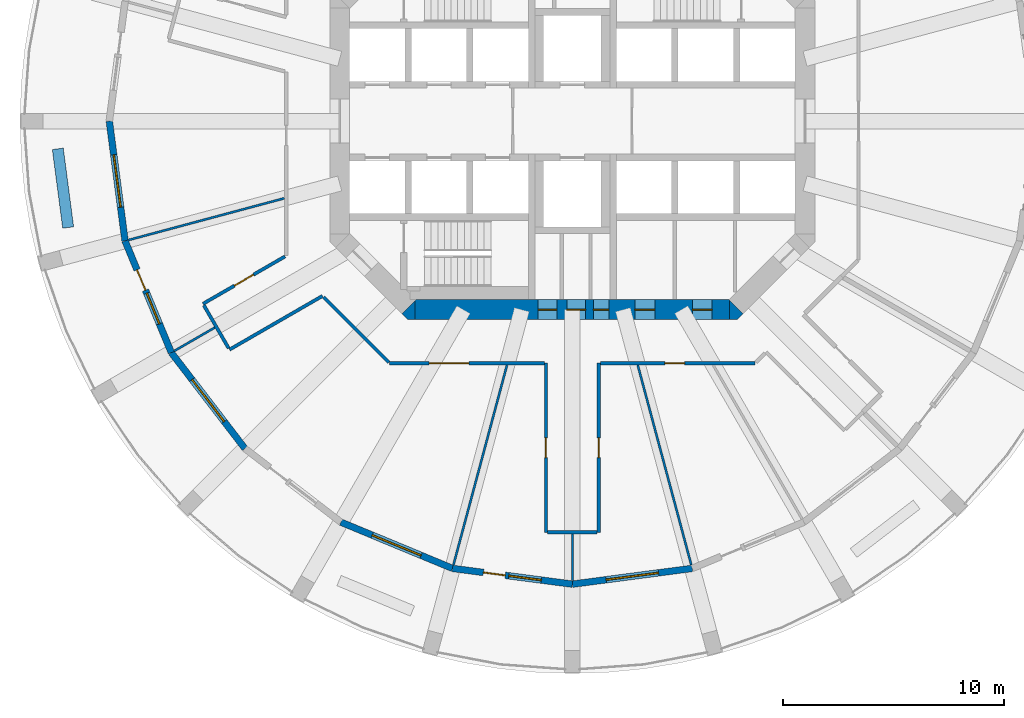
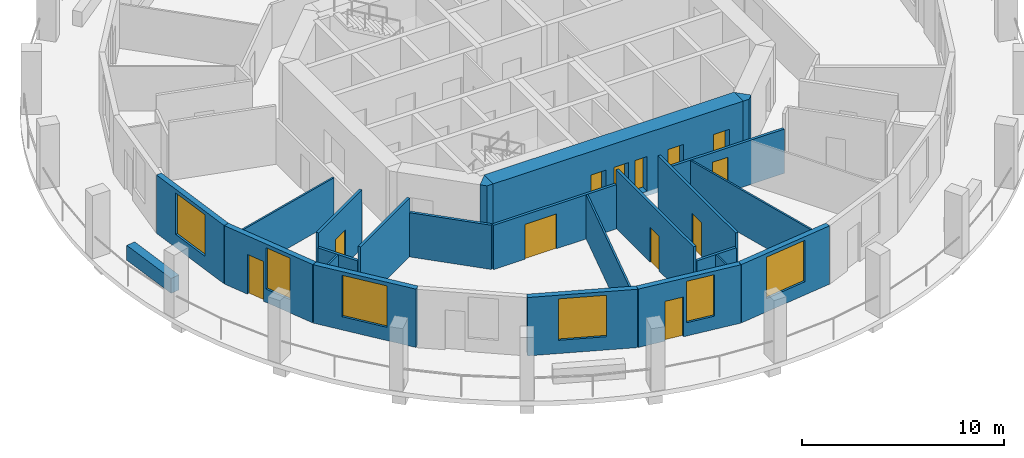
# One storey, part 2 of 8: 24 walls, 12 doors, 6 windows, 18 openings.
"""IFC4 building model written with IfcOpenShell, lengths in metres."""

from ifc_helpers import new_model, si_unit, direction, frame, frame_2d, origin, place, context, subcontext, project, spatial, polyline, rectangle, outline, extrude, material, layer, layer_set, type_object, element, fill, save


model = new_model("IFC4")

# Units and contexts
model_context = context("Model", 3, precision=1e-05, world=origin(), true_north=direction((0.0, 1.0)))
body_context = subcontext(model_context, "Body", "Model", "MODEL_VIEW")
ifc_project = project(units=[si_unit("LENGTHUNIT", "METRE"), si_unit("AREAUNIT", "SQUARE_METRE"), si_unit("VOLUMEUNIT", "CUBIC_METRE"), si_unit("PLANEANGLEUNIT", "RADIAN"), si_unit("MASSUNIT", "GRAM", prefix="KILO")], contexts=[model_context])

# Site, building, storey
site_placement = place(None, origin())
site = spatial("IfcSite", under=ifc_project, at=site_placement, CompositionType="ELEMENT")
building_placement = place(site_placement, origin())
building = spatial("IfcBuilding", under=site, at=building_placement, Name="Torre Triforio", CompositionType="ELEMENT")
storey_placement = place(building_placement, frame((0.0, 0.0, 116.199951171875)))
storey = spatial("IfcBuildingStorey", under=building, at=storey_placement, Name="L25", CompositionType="ELEMENT", Elevation=116.199951171875)

# Wall, openings, doors
ifc_material_1 = material(Name="Concrete C60", Category="concrete")
ifc_layer_1 = layer(ifc_material_1, 0.89990234375)
ifc_layer_set_1 = layer_set([ifc_layer_1], Name="Concrete C60")
wall_type_1 = type_object("IfcWallType", Name="Core wall 900 mm C60 EI 120", PredefinedType="SHEAR", material=ifc_layer_set_1)
wall_1_placement = place(storey_placement, frame((-7.1298828125, -8.550048828125, -0.280029296875), z_axis=(0.0, 0.0, 1.0), x_axis=(1.0, 0.0, 0.0)))
wall_1 = element("IfcWall", 1, at=wall_1_placement, inside=storey, type_object=wall_type_1, Name="Core wall", PredefinedType="SHEAR", context=body_context, shape_type="SweptSolid", body=[
    extrude(rectangle(XDim=14.259765625, YDim=0.89990234375, at=frame_2d((7.1298828125, 0.0))), origin(), (0.0, 0.0, 1.0), 3.800048828125),
])
opening_1_placement = place(wall_1_placement, frame((8.080078125, 0.0, 0.280029296875)))
opening_1 = element("IfcOpeningElement", 2, at=opening_1_placement, cuts=wall_1, Name="Opening RISER-S", PredefinedType="OPENING", context=body_context, shape_type="SweptSolid", body=[
    extrude(rectangle(XDim=0.699951171875, YDim=2.10009765625, at=frame_2d((0.35009765625, 1.050048828125))), frame((0.0, 0.4599609375, 0.0), z_axis=(0.0, -1.0, 0.0), x_axis=(1.0, 0.0, 0.0)), (0.0, 0.0, 1.0), 0.919921875),
])
opening_2_placement = place(wall_1_placement, frame((5.580078125, 0.0, 0.280029296875)))
opening_2 = element("IfcOpeningElement", 3, at=opening_2_placement, cuts=wall_1, Name="Opening SW-01A", PredefinedType="OPENING", context=body_context, shape_type="SweptSolid", body=[
    extrude(rectangle(XDim=0.85009765625, YDim=2.10009765625, at=frame_2d((0.425048828125, 1.050048828125))), frame((0.0, 0.4599609375, 0.0), z_axis=(0.0, -1.0, 0.0), x_axis=(1.0, 0.0, 0.0)), (0.0, 0.0, 1.0), 0.919921875),
])
opening_3_placement = place(wall_1_placement, frame((6.8798828125, 0.0, 0.280029296875)))
opening_3 = element("IfcOpeningElement", 4, at=opening_3_placement, cuts=wall_1, Name="Opening SW-02", PredefinedType="OPENING", context=body_context, shape_type="SweptSolid", body=[
    extrude(rectangle(XDim=0.85009765625, YDim=2.10009765625, at=frame_2d((0.425048828125, 1.050048828125))), frame((0.0, 0.4599609375, 0.0), z_axis=(0.0, -1.0, 0.0), x_axis=(1.0, 0.0, 0.0)), (0.0, 0.0, 1.0), 0.919921875),
])
opening_4_placement = place(wall_1_placement, frame((9.967041015625, 0.0, 0.280029296875)))
opening_4 = element("IfcOpeningElement", 5, at=opening_4_placement, cuts=wall_1, Name="Opening SE-01A", PredefinedType="OPENING", context=body_context, shape_type="SweptSolid", body=[
    extrude(rectangle(XDim=0.89990234375, YDim=2.10009765625, at=frame_2d((0.449951171875, 1.050048828125))), frame((0.0, 0.4599609375, 0.0), z_axis=(0.0, -1.0, 0.0), x_axis=(1.0, 0.0, 0.0)), (0.0, 0.0, 1.0), 0.919921875),
])
opening_5_placement = place(wall_1_placement, frame((12.56689453125, 0.0, 0.280029296875)))
opening_5 = element("IfcOpeningElement", 6, at=opening_5_placement, cuts=wall_1, Name="Opening SE-02", PredefinedType="OPENING", context=body_context, shape_type="SweptSolid", body=[
    extrude(rectangle(XDim=0.89990234375, YDim=2.10009765625, at=frame_2d((0.449951171875, 1.050048828125))), frame((0.0, 0.4599609375, 0.0), z_axis=(0.0, -1.0, 0.0), x_axis=(1.0, 0.0, 0.0)), (0.0, 0.0, 1.0), 0.919921875),
])
ifc_material_2 = material(Name="Hollow metal fire door leaf")
door_type_1 = type_object("IfcDoorType", Name="Riser door 700 x 2100 EI 60", OperationType="NOTDEFINED", PredefinedType="DOOR", material=ifc_material_2)
door_1_placement = place(opening_1_placement, origin())
door_1 = element("IfcDoor", 7, at=door_1_placement, inside=storey, type_object=door_type_1, Name="Core door RISER-S", OperationType="SINGLE_SWING_RIGHT", OverallHeight=2.10009765625, OverallWidth=0.699951171875, PredefinedType="DOOR", context=body_context, shape_type="SweptSolid", body=[
    extrude(rectangle(XDim=0.699951171875, YDim=2.10009765625, at=frame_2d((0.35009765625, 1.050048828125))), frame((0.0, 0.02490234375, 0.0), z_axis=(0.0, -1.0, 0.0), x_axis=(1.0, 0.0, 0.0)), (0.0, 0.0, 1.0), 0.050048828125),
])
fill(opening_1, door_1)
door_type_2 = type_object("IfcDoorType", Name="Room door 850 x 2100 EI 60", OperationType="NOTDEFINED", PredefinedType="DOOR", material=ifc_material_2)
door_2_placement = place(opening_2_placement, origin())
door_2 = element("IfcDoor", 8, at=door_2_placement, inside=storey, type_object=door_type_2, Name="Core door SW-01", OperationType="SINGLE_SWING_RIGHT", OverallHeight=2.10009765625, OverallWidth=0.85009765625, PredefinedType="DOOR", context=body_context, shape_type="SweptSolid", body=[
    extrude(rectangle(XDim=0.85009765625, YDim=2.10009765625, at=frame_2d((0.425048828125, 1.050048828125))), frame((0.0, 0.02490234375, 0.0), z_axis=(0.0, -1.0, 0.0), x_axis=(1.0, 0.0, 0.0)), (0.0, 0.0, 1.0), 0.050048828125),
])
fill(opening_2, door_2)
door_3_placement = place(opening_3_placement, origin())
door_3 = element("IfcDoor", 9, at=door_3_placement, inside=storey, type_object=door_type_2, Name="Core door SW-02", OperationType="SINGLE_SWING_LEFT", OverallHeight=2.10009765625, OverallWidth=0.85009765625, PredefinedType="DOOR", context=body_context, shape_type="SweptSolid", body=[
    extrude(rectangle(XDim=0.85009765625, YDim=2.10009765625, at=frame_2d((0.425048828125, 1.050048828125))), frame((0.0, 0.02490234375, 0.0), z_axis=(0.0, -1.0, 0.0), x_axis=(1.0, 0.0, 0.0)), (0.0, 0.0, 1.0), 0.050048828125),
])
fill(opening_3, door_3)
door_type_3 = type_object("IfcDoorType", Name="Room door 900 x 2100 EI 60", OperationType="NOTDEFINED", PredefinedType="DOOR", material=ifc_material_2)
door_4_placement = place(opening_4_placement, origin())
door_4 = element("IfcDoor", 10, at=door_4_placement, inside=storey, type_object=door_type_3, Name="Core door SE-01", OperationType="SINGLE_SWING_LEFT", OverallHeight=2.10009765625, OverallWidth=0.89990234375, PredefinedType="DOOR", context=body_context, shape_type="SweptSolid", body=[
    extrude(rectangle(XDim=0.89990234375, YDim=2.10009765625, at=frame_2d((0.449951171875, 1.050048828125))), frame((0.0, 0.02490234375, 0.0), z_axis=(0.0, -1.0, 0.0), x_axis=(1.0, 0.0, 0.0)), (0.0, 0.0, 1.0), 0.050048828125),
])
fill(opening_4, door_4)
door_5_placement = place(opening_5_placement, origin())
door_5 = element("IfcDoor", 11, at=door_5_placement, inside=storey, type_object=door_type_3, Name="Core door SE-02", OperationType="SINGLE_SWING_LEFT", OverallHeight=2.10009765625, OverallWidth=0.89990234375, PredefinedType="DOOR", context=body_context, shape_type="SweptSolid", body=[
    extrude(rectangle(XDim=0.89990234375, YDim=2.10009765625, at=frame_2d((0.449951171875, 1.050048828125))), frame((0.0, 0.02490234375, 0.0), z_axis=(0.0, -1.0, 0.0), x_axis=(1.0, 0.0, 0.0)), (0.0, 0.0, 1.0), 0.050048828125),
])
fill(opening_5, door_5)

# Walls
wall_2_placement = place(storey_placement, frame((0.0, 0.0, -0.280029296875)))
element("IfcWall", 12, at=wall_2_placement, inside=storey, type_object=wall_type_1, Name="Core wall", PredefinedType="SHEAR", context=body_context, shape_type="SweptSolid", body=[
    extrude(outline(polyline([(-7.472900390625, -9.0), (-7.736328125, -8.736328125), (-7.1298828125, -8.1298828125), (-7.1298828125, -9.0), (-7.472900390625, -9.0)])), origin(), (0.0, 0.0, 1.0), 3.800048828125),
])
wall_3_placement = place(storey_placement, frame((0.0, 0.0, -0.280029296875)))
element("IfcWall", 13, at=wall_3_placement, inside=storey, type_object=wall_type_1, Name="Core wall", PredefinedType="SHEAR", context=body_context, shape_type="SweptSolid", body=[
    extrude(outline(polyline([(7.472900390625, -9.0), (7.1298828125, -9.0), (7.1298828125, -8.1298828125), (7.736328125, -8.736328125), (7.472900390625, -9.0)])), origin(), (0.0, 0.0, 1.0), 3.800048828125),
])
ifc_material_3 = material(Name="Plasterboard on metal studs")
ifc_layer_2 = layer(ifc_material_3, 0.14990234375)
ifc_layer_set_2 = layer_set([ifc_layer_2], Name="Plasterboard on metal studs")
wall_type_2 = type_object("IfcWallType", Name="Corridor and tenancy wall 150 mm EI 60", PredefinedType="PARTITIONING", material=ifc_layer_set_2)
wall_4_placement = place(storey_placement, frame((-15.587890625, -10.298583984375, 0.0), z_axis=(0.0, 0.0, 1.0), x_axis=(-0.500013631625, 0.866017533419, 0.0)))
element("IfcWall", 14, at=wall_4_placement, inside=storey, type_object=wall_type_2, Name="Partition 1", PredefinedType="PARTITIONING", context=body_context, shape_type="SweptSolid", body=[
    extrude(rectangle(XDim=2.25, YDim=0.14990234375, at=frame_2d((1.125, 0.0))), origin(), (0.0, 0.0, 1.0), 2.670166015625),
])

# Wall, opening, door
wall_5_placement = place(storey_placement, frame((-16.750244140625, -8.28515625, 0.0), z_axis=(0.0, 0.0, 1.0), x_axis=(0.866019905438, 0.500009523294, 0.0)))
wall_5 = element("IfcWall", 15, at=wall_5_placement, inside=storey, type_object=wall_type_2, Name="Partition 2", PredefinedType="PARTITIONING", context=body_context, shape_type="SweptSolid", body=[
    extrude(rectangle(XDim=4.29443359375, YDim=0.14990234375, at=frame_2d((2.147216796875, 0.0))), origin(), (0.0, 0.0, 1.0), 3.52001953125),
])
opening_6_placement = place(wall_5_placement, frame((1.647216796875, 0.0, 0.0)))
opening_6 = element("IfcOpeningElement", 16, at=opening_6_placement, cuts=wall_5, Name="Opening D1-05", PredefinedType="OPENING", context=body_context, shape_type="SweptSolid", body=[
    extrude(rectangle(XDim=1.0, YDim=2.10009765625, at=frame_2d((0.5, 1.050048828125))), frame((0.0, 0.0849609375, 0.0), z_axis=(0.0, -1.0, 0.0), x_axis=(1.0, 0.0, 0.0)), (0.0, 0.0, 1.0), 0.169921875),
])
ifc_material_4 = material(Name="Timber", Category="wood")
door_type_4 = type_object("IfcDoorType", Name="Door 1000 x 2100 single leaf EI 30", OperationType="NOTDEFINED", PredefinedType="DOOR", material=ifc_material_4)
door_6_placement = place(opening_6_placement, origin())
door_6 = element("IfcDoor", 17, at=door_6_placement, inside=storey, type_object=door_type_4, Name="Door D1-05", OperationType="SINGLE_SWING_RIGHT", OverallHeight=2.10009765625, OverallWidth=1.0, PredefinedType="DOOR", context=body_context, shape_type="SweptSolid", body=[
    extrude(rectangle(XDim=1.0, YDim=2.10009765625, at=frame_2d((0.5, 1.050048828125))), frame((0.0, 0.02490234375, 0.0), z_axis=(0.0, -1.0, 0.0), x_axis=(1.0, 0.0, 0.0)), (0.0, 0.0, 1.0), 0.050048828125),
])
fill(opening_6, door_6)

wall_6_placement = place(storey_placement, frame((8.291015625, -10.97509765625, 0.0), z_axis=(0.0, 0.0, 1.0), x_axis=(-1.0, 0.0, 0.0)))
wall_6 = element("IfcWall", 18, at=wall_6_placement, inside=storey, type_object=wall_type_2, Name="Partition 23", PredefinedType="PARTITIONING", context=body_context, shape_type="SweptSolid", body=[
    extrude(rectangle(XDim=7.01611328125, YDim=0.14990234375, at=frame_2d((3.508056640625, 0.0))), origin(), (0.0, 0.0, 1.0), 2.670166015625),
])
opening_7_placement = place(wall_6_placement, frame((3.198486328125, 0.0, 0.0)))
opening_7 = element("IfcOpeningElement", 19, at=opening_7_placement, cuts=wall_6, Name="Opening D1-09", PredefinedType="OPENING", context=body_context, shape_type="SweptSolid", body=[
    extrude(rectangle(XDim=0.89990234375, YDim=2.10009765625, at=frame_2d((0.449951171875, 1.050048828125))), frame((0.0, 0.0849609375, 0.0), z_axis=(0.0, -1.0, 0.0), x_axis=(1.0, 0.0, 0.0)), (0.0, 0.0, 1.0), 0.169921875),
])
door_type_5 = type_object("IfcDoorType", Name="Door 900 x 2100 single leaf EI 30", OperationType="NOTDEFINED", PredefinedType="DOOR", material=ifc_material_4)
door_7_placement = place(opening_7_placement, origin())
door_7 = element("IfcDoor", 20, at=door_7_placement, inside=storey, type_object=door_type_5, Name="Door D1-09", OperationType="SINGLE_SWING_LEFT", OverallHeight=2.10009765625, OverallWidth=0.89990234375, PredefinedType="DOOR", context=body_context, shape_type="SweptSolid", body=[
    extrude(rectangle(XDim=0.89990234375, YDim=2.10009765625, at=frame_2d((0.449951171875, 1.050048828125))), frame((0.0, 0.02490234375, 0.0), z_axis=(0.0, -1.0, 0.0), x_axis=(1.0, 0.0, 0.0)), (0.0, 0.0, 1.0), 0.050048828125),
])
fill(opening_7, door_7)

wall_7_placement = place(storey_placement, frame((1.199951171875, -10.97509765625, 0.0), z_axis=(0.0, 0.0, 1.0), x_axis=(0.0, -1.0, 0.0)))
wall_7 = element("IfcWall", 21, at=wall_7_placement, inside=storey, type_object=wall_type_2, Name="Partition 24", PredefinedType="PARTITIONING", context=body_context, shape_type="SweptSolid", body=[
    extrude(rectangle(XDim=7.673583984375, YDim=0.14990234375, at=frame_2d((3.8369140625, 0.0))), origin(), (0.0, 0.0, 1.0), 3.52001953125),
])
opening_8_placement = place(wall_7_placement, frame((3.386962890625, 0.0, 0.0)))
opening_8 = element("IfcOpeningElement", 22, at=opening_8_placement, cuts=wall_7, Name="Opening D1-08", PredefinedType="OPENING", context=body_context, shape_type="SweptSolid", body=[
    extrude(rectangle(XDim=0.89990234375, YDim=2.10009765625, at=frame_2d((0.449951171875, 1.050048828125))), frame((0.0, 0.0849609375, 0.0), z_axis=(0.0, -1.0, 0.0), x_axis=(1.0, 0.0, 0.0)), (0.0, 0.0, 1.0), 0.169921875),
])
door_8_placement = place(opening_8_placement, origin())
door_8 = element("IfcDoor", 23, at=door_8_placement, inside=storey, type_object=door_type_5, Name="Door D1-08", OperationType="SINGLE_SWING_RIGHT", OverallHeight=2.10009765625, OverallWidth=0.89990234375, PredefinedType="DOOR", context=body_context, shape_type="SweptSolid", body=[
    extrude(rectangle(XDim=0.89990234375, YDim=2.10009765625, at=frame_2d((0.449951171875, 1.050048828125))), frame((0.0, 0.02490234375, 0.0), z_axis=(0.0, -1.0, 0.0), x_axis=(1.0, 0.0, 0.0)), (0.0, 0.0, 1.0), 0.050048828125),
])
fill(opening_8, door_8)

# Wall
wall_8_placement = place(storey_placement, frame((1.125, -18.648681640625, 0.0), z_axis=(0.0, 0.0, 1.0), x_axis=(-1.0, 0.0, 0.0)))
element("IfcWall", 24, at=wall_8_placement, inside=storey, type_object=wall_type_2, Name="Partition 25", PredefinedType="PARTITIONING", context=body_context, shape_type="SweptSolid", body=[
    extrude(rectangle(XDim=2.25, YDim=0.14990234375, at=frame_2d((1.125, 0.0))), origin(), (0.0, 0.0, 1.0), 2.670166015625),
])

# Wall, opening, door
wall_9_placement = place(storey_placement, frame((-1.199951171875, -18.648681640625, 0.0), z_axis=(0.0, 0.0, 1.0), x_axis=(0.0, 1.0, 0.0)))
wall_9 = element("IfcWall", 25, at=wall_9_placement, inside=storey, type_object=wall_type_2, Name="Partition 26", PredefinedType="PARTITIONING", context=body_context, shape_type="SweptSolid", body=[
    extrude(rectangle(XDim=7.673583984375, YDim=0.14990234375, at=frame_2d((3.8369140625, 0.0))), origin(), (0.0, 0.0, 1.0), 3.52001953125),
])
opening_9_placement = place(wall_9_placement, frame((3.386962890625, 0.0, 0.0)))
opening_9 = element("IfcOpeningElement", 26, at=opening_9_placement, cuts=wall_9, Name="Opening D1-07", PredefinedType="OPENING", context=body_context, shape_type="SweptSolid", body=[
    extrude(rectangle(XDim=0.89990234375, YDim=2.10009765625, at=frame_2d((0.449951171875, 1.050048828125))), frame((0.0, 0.0849609375, 0.0), z_axis=(0.0, -1.0, 0.0), x_axis=(1.0, 0.0, 0.0)), (0.0, 0.0, 1.0), 0.169921875),
])
door_9_placement = place(opening_9_placement, origin())
door_9 = element("IfcDoor", 27, at=door_9_placement, inside=storey, type_object=door_type_5, Name="Door D1-07", OperationType="SINGLE_SWING_RIGHT", OverallHeight=2.10009765625, OverallWidth=0.89990234375, PredefinedType="DOOR", context=body_context, shape_type="SweptSolid", body=[
    extrude(rectangle(XDim=0.89990234375, YDim=2.10009765625, at=frame_2d((0.449951171875, 1.050048828125))), frame((0.0, 0.02490234375, 0.0), z_axis=(0.0, -1.0, 0.0), x_axis=(1.0, 0.0, 0.0)), (0.0, 0.0, 1.0), 0.050048828125),
])
fill(opening_9, door_9)

wall_10_placement = place(storey_placement, frame((-1.27490234375, -10.97509765625, 0.0), z_axis=(0.0, 0.0, 1.0), x_axis=(-1.0, 0.0, 0.0)))
wall_10 = element("IfcWall", 28, at=wall_10_placement, inside=storey, type_object=wall_type_2, Name="Partition 27", PredefinedType="PARTITIONING", context=body_context, shape_type="SweptSolid", body=[
    extrude(rectangle(XDim=7.01611328125, YDim=0.14990234375, at=frame_2d((3.508056640625, 0.0))), origin(), (0.0, 0.0, 1.0), 2.670166015625),
])
opening_10_placement = place(wall_10_placement, frame((3.415771484375, 0.0, 0.0)))
opening_10 = element("IfcOpeningElement", 29, at=opening_10_placement, cuts=wall_10, Name="Opening D1-06", PredefinedType="OPENING", context=body_context, shape_type="SweptSolid", body=[
    extrude(rectangle(XDim=1.800048828125, YDim=2.10009765625, at=frame_2d((0.89990234375, 1.050048828125))), frame((0.0, 0.0849609375, 0.0), z_axis=(0.0, -1.0, 0.0), x_axis=(1.0, 0.0, 0.0)), (0.0, 0.0, 1.0), 0.169921875),
])
door_type_6 = type_object("IfcDoorType", Name="Door 1800 x 2100 double leaf EI 30", OperationType="DOUBLE_DOOR_SINGLE_SWING", PredefinedType="DOOR", material=ifc_material_4)
door_10_placement = place(opening_10_placement, origin())
door_10 = element("IfcDoor", 30, at=door_10_placement, inside=storey, type_object=door_type_6, Name="Door D1-06", OperationType="DOUBLE_DOOR_SINGLE_SWING", OverallHeight=2.10009765625, OverallWidth=1.800048828125, PredefinedType="DOOR", context=body_context, shape_type="SweptSolid", body=[
    extrude(rectangle(XDim=1.800048828125, YDim=2.10009765625, at=frame_2d((0.89990234375, 1.050048828125))), frame((0.0, 0.02490234375, 0.0), z_axis=(0.0, -1.0, 0.0), x_axis=(1.0, 0.0, 0.0)), (0.0, 0.0, 1.0), 0.050048828125),
])
fill(opening_10, door_10)

# Walls
wall_11_placement = place(storey_placement, frame((-8.327880859375, -10.93798828125, 0.0), z_axis=(0.0, 0.0, 1.0), x_axis=(-0.707077584218, 0.707135976949, 0.0)))
element("IfcWall", 31, at=wall_11_placement, inside=storey, type_object=wall_type_2, Name="Partition 28", PredefinedType="PARTITIONING", context=body_context, shape_type="SweptSolid", body=[
    extrude(rectangle(XDim=4.180908203125, YDim=0.14990234375, at=frame_2d((2.09033203125, 0.0))), origin(), (0.0, 0.0, 1.0), 2.670166015625),
])
wall_12_placement = place(storey_placement, frame((-11.335693359375, -7.930419921875, 0.0), z_axis=(0.0, 0.0, 1.0), x_axis=(-0.866042731792, -0.49996998581, 0.0)))
element("IfcWall", 32, at=wall_12_placement, inside=storey, type_object=wall_type_2, Name="Partition 29", PredefinedType="PARTITIONING", context=body_context, shape_type="SweptSolid", body=[
    extrude(rectangle(XDim=4.866455078125, YDim=0.14990234375, at=frame_2d((2.43310546875, 0.0))), origin(), (0.0, 0.0, 1.0), 3.52001953125),
])
ifc_layer_3 = layer(ifc_material_3, 0.10009765625)
ifc_layer_set_3 = layer_set([ifc_layer_3], Name="Plasterboard on metal studs")
wall_type_3 = type_object("IfcWallType", Name="Partition 100 mm board on metal studs", PredefinedType="PARTITIONING", material=ifc_layer_set_3)
wall_13_placement = place(storey_placement, frame((-13.064208984375, -3.50048828125, 0.0), z_axis=(0.0, 0.0, 1.0), x_axis=(-0.965927781613, -0.258811747624, 0.0)))
element("IfcWall", 33, at=wall_13_placement, inside=storey, type_object=wall_type_3, Name="Partition 36", PredefinedType="PARTITIONING", context=body_context, shape_type="SweptSolid", body=[
    extrude(rectangle(XDim=7.3115234375, YDim=0.10009765625, at=frame_2d((3.65576171875, 0.0))), origin(), (0.0, 0.0, 1.0), 2.670166015625),
])
wall_14_placement = place(storey_placement, frame((-16.215087890625, -9.36181640625, 0.0), z_axis=(0.0, 0.0, 1.0), x_axis=(-0.866016279763, -0.500015802937, 0.0)))
element("IfcWall", 34, at=wall_14_placement, inside=storey, type_object=wall_type_3, Name="Partition 37", PredefinedType="PARTITIONING", context=body_context, shape_type="SweptSolid", body=[
    extrude(rectangle(XDim=2.11328125, YDim=0.10009765625, at=frame_2d((1.056640625, 0.0))), origin(), (0.0, 0.0, 1.0), 2.670166015625),
])
wall_15_placement = place(storey_placement, frame((-2.964599609375, -11.064208984375, 0.0), z_axis=(0.0, 0.0, 1.0), x_axis=(-0.258812392192, -0.965927608906, 0.0)))
element("IfcWall", 35, at=wall_15_placement, inside=storey, type_object=wall_type_3, Name="Partition 38", PredefinedType="PARTITIONING", context=body_context, shape_type="SweptSolid", body=[
    extrude(rectangle(XDim=9.382080078125, YDim=0.10009765625, at=frame_2d((4.69091796875, 0.0))), origin(), (0.0, 0.0, 1.0), 2.670166015625),
])
wall_16_placement = place(storey_placement, frame((0.0, -18.7236328125, 0.0), z_axis=(0.0, 0.0, 1.0), x_axis=(0.0, -1.0, 0.0)))
element("IfcWall", 36, at=wall_16_placement, inside=storey, type_object=wall_type_3, Name="Partition 39", PredefinedType="PARTITIONING", context=body_context, shape_type="SweptSolid", body=[
    extrude(rectangle(XDim=2.113037109375, YDim=0.10009765625, at=frame_2d((1.056640625, 0.0))), origin(), (0.0, 0.0, 1.0), 2.670166015625),
])
wall_17_placement = place(storey_placement, frame((2.964599609375, -11.064208984375, 0.0), z_axis=(0.0, 0.0, 1.0), x_axis=(0.258812392192, -0.965927608906, 0.0)))
element("IfcWall", 37, at=wall_17_placement, inside=storey, type_object=wall_type_3, Name="Partition 40", PredefinedType="PARTITIONING", context=body_context, shape_type="SweptSolid", body=[
    extrude(rectangle(XDim=9.382080078125, YDim=0.10009765625, at=frame_2d((4.69091796875, 0.0))), origin(), (0.0, 0.0, 1.0), 2.670166015625),
])
ifc_material_5 = material(Name="Limestone cladding", Category="masonry")
ifc_layer_4 = layer(ifc_material_5, 0.10009765625)
ifc_material_6 = material(Name="Concrete C40", Category="concrete")
ifc_layer_5 = layer(ifc_material_6, 0.39990234375)
ifc_layer_set_4 = layer_set([ifc_layer_4, ifc_layer_5], Name="Limestone cladding / Concrete C40")
wall_type_4 = type_object("IfcWallType", Name="Planter wall 500", PredefinedType="PARAPET", material=ifc_layer_set_4)
wall_18_placement = place(storey_placement, frame((-23.335693359375, -1.256591796875, 0.0), z_axis=(0.0, 0.0, 1.0), x_axis=(0.130542222659, -0.991442750795, 0.0)))
element("IfcWall", 38, at=wall_18_placement, inside=storey, type_object=wall_type_4, Name="Planter L25 bay 13", PredefinedType="PARAPET", context=body_context, shape_type="SweptSolid", body=[
    extrude(rectangle(XDim=3.60009765625, YDim=0.5, at=frame_2d((1.800048828125, 0.0))), origin(), (0.0, 0.0, 1.0), 0.900146484375),
])

# Wall, opening, window
ifc_layer_6 = layer(ifc_material_5, 0.10009765625)
ifc_layer_7 = layer(ifc_material_6, 0.199951171875)
ifc_layer_set_5 = layer_set([ifc_layer_6, ifc_layer_7], Name="Limestone cladding / Concrete C40")
wall_type_5 = type_object("IfcWallType", Name="Stone-faced composite wall 300", PredefinedType="STANDARD", material=ifc_layer_set_5)
wall_19_placement = place(storey_placement, frame((-21.0, 0.0, 0.0), z_axis=(0.0, 0.0, 1.0), x_axis=(0.130527087244, -0.991444743541, 0.0)))
wall_19 = element("IfcWall", 39, at=wall_19_placement, inside=storey, type_object=wall_type_5, Name="External wall L25 bay 13", PredefinedType="STANDARD", context=body_context, shape_type="SweptSolid", body=[
    extrude(rectangle(XDim=5.482177734375, YDim=0.300048828125, at=frame_2d((2.7412109375, 0.0))), origin(), (0.0, 0.0, 1.0), 3.52001953125),
])
opening_11_placement = place(wall_19_placement, frame((1.541015625, 0.0, 0.800048828125)))
opening_11 = element("IfcOpeningElement", 40, at=opening_11_placement, cuts=wall_19, Name="Opening D1-W13", PredefinedType="OPENING", context=body_context, shape_type="SweptSolid", body=[
    extrude(rectangle(XDim=2.39990234375, YDim=2.5, at=frame_2d((1.199951171875, 1.25))), frame((0.0, 0.159912109375, 0.0), z_axis=(0.0, -1.0, 0.0), x_axis=(1.0, 0.0, 0.0)), (0.0, 0.0, 1.0), 0.320068359375),
])
ifc_material_7 = material(Name="Aluminium frame with clear double glazing", Category="aluminium")
window_type_1 = type_object("IfcWindowType", Name="Punched window 2400 x 2500", PartitioningType="DOUBLE_PANEL_VERTICAL", PredefinedType="WINDOW", material=ifc_material_7)
window_1_placement = place(opening_11_placement, origin())
window_1 = element("IfcWindow", 41, at=window_1_placement, inside=storey, type_object=window_type_1, Name="Window EWN3 L25 bay 13", OverallHeight=2.5, OverallWidth=2.39990234375, PartitioningType="SINGLE_PANEL", PredefinedType="WINDOW", context=body_context, shape_type="SweptSolid", body=[
    extrude(rectangle(XDim=2.39990234375, YDim=2.5, at=frame_2d((1.199951171875, 1.25))), frame((0.0, 0.030029296875, 0.0), z_axis=(0.0, -1.0, 0.0), x_axis=(1.0, 0.0, 0.0)), (0.0, 0.0, 1.0), 0.06005859375),
])
fill(opening_11, window_1)

# Wall, openings, door, window
wall_20_placement = place(storey_placement, frame((-20.284423828125, -5.435302734375, 0.0), z_axis=(0.0, 0.0, 1.0), x_axis=(0.382688740813, -0.923877333662, 0.0)))
wall_20 = element("IfcWall", 42, at=wall_20_placement, inside=storey, type_object=wall_type_5, Name="External wall L25 bay 14", PredefinedType="STANDARD", context=body_context, shape_type="SweptSolid", body=[
    extrude(rectangle(XDim=5.48193359375, YDim=0.300048828125, at=frame_2d((2.740966796875, 0.0))), origin(), (0.0, 0.0, 1.0), 3.52001953125),
])
opening_12_placement = place(wall_20_placement, frame((1.416015625, 0.0, 0.0)))
opening_12 = element("IfcOpeningElement", 43, at=opening_12_placement, cuts=wall_20, Name="Opening D1-D14", PredefinedType="OPENING", context=body_context, shape_type="SweptSolid", body=[
    extrude(rectangle(XDim=1.0, YDim=2.39990234375, at=frame_2d((0.5, 1.199951171875))), frame((0.0, 0.159912109375, 0.0), z_axis=(0.0, -1.0, 0.0), x_axis=(1.0, 0.0, 0.0)), (0.0, 0.0, 1.0), 0.320068359375),
])
opening_13_placement = place(wall_20_placement, frame((2.566162109375, 0.0, 0.800048828125)))
opening_13 = element("IfcOpeningElement", 44, at=opening_13_placement, cuts=wall_20, Name="Opening D1-W14A", PredefinedType="OPENING", context=body_context, shape_type="SweptSolid", body=[
    extrude(rectangle(XDim=1.5, YDim=2.5, at=frame_2d((0.75, 1.25))), frame((0.0, 0.159912109375, 0.0), z_axis=(0.0, -1.0, 0.0), x_axis=(1.0, 0.0, 0.0)), (0.0, 0.0, 1.0), 0.320068359375),
])
door_type_7 = type_object("IfcDoorType", Name="Loggia door 1000 x 2400", OperationType="NOTDEFINED", PredefinedType="DOOR", material=ifc_material_7)
door_11_placement = place(opening_12_placement, origin())
door_11 = element("IfcDoor", 45, at=door_11_placement, inside=storey, type_object=door_type_7, Name="Loggia door L25 bay 14", OperationType="SINGLE_SWING_LEFT", OverallHeight=2.39990234375, OverallWidth=1.0, PredefinedType="DOOR", context=body_context, shape_type="SweptSolid", body=[
    extrude(rectangle(XDim=1.0, YDim=2.39990234375, at=frame_2d((0.5, 1.199951171875))), frame((0.0, 0.02490234375, 0.0), z_axis=(0.0, -1.0, 0.0), x_axis=(1.0, 0.0, 0.0)), (0.0, 0.0, 1.0), 0.050048828125),
])
fill(opening_12, door_11)
window_type_2 = type_object("IfcWindowType", Name="Side window 1500 x 2500", PartitioningType="SINGLE_PANEL", PredefinedType="WINDOW", material=ifc_material_7)
window_2_placement = place(opening_13_placement, origin())
window_2 = element("IfcWindow", 46, at=window_2_placement, inside=storey, type_object=window_type_2, Name="Side window EWN13 L25 bay 14", OverallHeight=2.5, OverallWidth=1.5, PartitioningType="SINGLE_PANEL", PredefinedType="WINDOW", context=body_context, shape_type="SweptSolid", body=[
    extrude(rectangle(XDim=1.5, YDim=2.5, at=frame_2d((0.75, 1.25))), frame((0.0, 0.030029296875, 0.0), z_axis=(0.0, -1.0, 0.0), x_axis=(1.0, 0.0, 0.0)), (0.0, 0.0, 1.0), 0.06005859375),
])
fill(opening_13, window_2)

# Wall, opening, window
wall_21_placement = place(storey_placement, frame((-18.1865234375, -10.5, 0.0), z_axis=(0.0, 0.0, 1.0), x_axis=(0.608784891166, -0.793335336593, 0.0)))
wall_21 = element("IfcWall", 47, at=wall_21_placement, inside=storey, type_object=wall_type_5, Name="External wall L25 bay 15", PredefinedType="STANDARD", context=body_context, shape_type="SweptSolid", body=[
    extrude(rectangle(XDim=5.482177734375, YDim=0.300048828125, at=frame_2d((2.7412109375, 0.0))), origin(), (0.0, 0.0, 1.0), 3.52001953125),
])
opening_14_placement = place(wall_21_placement, frame((1.541015625, 0.0, 0.800048828125)))
opening_14 = element("IfcOpeningElement", 48, at=opening_14_placement, cuts=wall_21, Name="Opening D1-W15", PredefinedType="OPENING", context=body_context, shape_type="SweptSolid", body=[
    extrude(rectangle(XDim=2.39990234375, YDim=2.5, at=frame_2d((1.199951171875, 1.25))), frame((0.0, 0.159912109375, 0.0), z_axis=(0.0, -1.0, 0.0), x_axis=(1.0, 0.0, 0.0)), (0.0, 0.0, 1.0), 0.320068359375),
])
window_3_placement = place(opening_14_placement, origin())
window_3 = element("IfcWindow", 49, at=window_3_placement, inside=storey, type_object=window_type_1, Name="Window EWN3 L25 bay 15", OverallHeight=2.5, OverallWidth=2.39990234375, PartitioningType="SINGLE_PANEL", PredefinedType="WINDOW", context=body_context, shape_type="SweptSolid", body=[
    extrude(rectangle(XDim=2.39990234375, YDim=2.5, at=frame_2d((1.199951171875, 1.25))), frame((0.0, 0.030029296875, 0.0), z_axis=(0.0, -1.0, 0.0), x_axis=(1.0, 0.0, 0.0)), (0.0, 0.0, 1.0), 0.06005859375),
])
fill(opening_14, window_3)

wall_22_placement = place(storey_placement, frame((-10.5, -18.1865234375, 0.0), z_axis=(0.0, 0.0, 1.0), x_axis=(0.923877333662, -0.382688740813, 0.0)))
wall_22 = element("IfcWall", 50, at=wall_22_placement, inside=storey, type_object=wall_type_5, Name="External wall L25 bay 17", PredefinedType="STANDARD", context=body_context, shape_type="SweptSolid", body=[
    extrude(rectangle(XDim=5.48193359375, YDim=0.300048828125, at=frame_2d((2.740966796875, 0.0))), origin(), (0.0, 0.0, 1.0), 3.52001953125),
])
opening_15_placement = place(wall_22_placement, frame((1.541015625, 0.0, 0.800048828125)))
opening_15 = element("IfcOpeningElement", 51, at=opening_15_placement, cuts=wall_22, Name="Opening D1-W17", PredefinedType="OPENING", context=body_context, shape_type="SweptSolid", body=[
    extrude(rectangle(XDim=2.39990234375, YDim=2.5, at=frame_2d((1.199951171875, 1.25))), frame((0.0, 0.159912109375, 0.0), z_axis=(0.0, -1.0, 0.0), x_axis=(1.0, 0.0, 0.0)), (0.0, 0.0, 1.0), 0.320068359375),
])
window_4_placement = place(opening_15_placement, origin())
window_4 = element("IfcWindow", 52, at=window_4_placement, inside=storey, type_object=window_type_1, Name="Window EWN3 L25 bay 17", OverallHeight=2.5, OverallWidth=2.39990234375, PartitioningType="SINGLE_PANEL", PredefinedType="WINDOW", context=body_context, shape_type="SweptSolid", body=[
    extrude(rectangle(XDim=2.39990234375, YDim=2.5, at=frame_2d((1.199951171875, 1.25))), frame((0.0, 0.030029296875, 0.0), z_axis=(0.0, -1.0, 0.0), x_axis=(1.0, 0.0, 0.0)), (0.0, 0.0, 1.0), 0.06005859375),
])
fill(opening_15, window_4)

# Wall, openings, door, window
wall_23_placement = place(storey_placement, frame((-5.435302734375, -20.284423828125, 0.0), z_axis=(0.0, 0.0, 1.0), x_axis=(0.991444743541, -0.130527087244, 0.0)))
wall_23 = element("IfcWall", 53, at=wall_23_placement, inside=storey, type_object=wall_type_5, Name="External wall L25 bay 18", PredefinedType="STANDARD", context=body_context, shape_type="SweptSolid", body=[
    extrude(rectangle(XDim=5.482177734375, YDim=0.300048828125, at=frame_2d((2.7412109375, 0.0))), origin(), (0.0, 0.0, 1.0), 3.52001953125),
])
opening_16_placement = place(wall_23_placement, frame((1.416015625, 0.0, 0.0)))
opening_16 = element("IfcOpeningElement", 54, at=opening_16_placement, cuts=wall_23, Name="Opening D1-D18", PredefinedType="OPENING", context=body_context, shape_type="SweptSolid", body=[
    extrude(rectangle(XDim=1.0, YDim=2.39990234375, at=frame_2d((0.5, 1.199951171875))), frame((0.0, 0.159912109375, 0.0), z_axis=(0.0, -1.0, 0.0), x_axis=(1.0, 0.0, 0.0)), (0.0, 0.0, 1.0), 0.320068359375),
])
opening_17_placement = place(wall_23_placement, frame((2.566162109375, 0.0, 0.800048828125)))
opening_17 = element("IfcOpeningElement", 55, at=opening_17_placement, cuts=wall_23, Name="Opening D1-W18A", PredefinedType="OPENING", context=body_context, shape_type="SweptSolid", body=[
    extrude(rectangle(XDim=1.5, YDim=2.5, at=frame_2d((0.75, 1.25))), frame((0.0, 0.159912109375, 0.0), z_axis=(0.0, -1.0, 0.0), x_axis=(1.0, 0.0, 0.0)), (0.0, 0.0, 1.0), 0.320068359375),
])
door_12_placement = place(opening_16_placement, origin())
door_12 = element("IfcDoor", 56, at=door_12_placement, inside=storey, type_object=door_type_7, Name="Loggia door L25 bay 18", OperationType="SINGLE_SWING_RIGHT", OverallHeight=2.39990234375, OverallWidth=1.0, PredefinedType="DOOR", context=body_context, shape_type="SweptSolid", body=[
    extrude(rectangle(XDim=1.0, YDim=2.39990234375, at=frame_2d((0.5, 1.199951171875))), frame((0.0, 0.02490234375, 0.0), z_axis=(0.0, -1.0, 0.0), x_axis=(1.0, 0.0, 0.0)), (0.0, 0.0, 1.0), 0.050048828125),
])
fill(opening_16, door_12)
window_5_placement = place(opening_17_placement, origin())
window_5 = element("IfcWindow", 57, at=window_5_placement, inside=storey, type_object=window_type_2, Name="Side window EWN13 L25 bay 18", OverallHeight=2.5, OverallWidth=1.5, PartitioningType="SINGLE_PANEL", PredefinedType="WINDOW", context=body_context, shape_type="SweptSolid", body=[
    extrude(rectangle(XDim=1.5, YDim=2.5, at=frame_2d((0.75, 1.25))), frame((0.0, 0.030029296875, 0.0), z_axis=(0.0, -1.0, 0.0), x_axis=(1.0, 0.0, 0.0)), (0.0, 0.0, 1.0), 0.06005859375),
])
fill(opening_17, window_5)

# Wall, opening, window
wall_24_placement = place(storey_placement, frame((0.0, -21.0, 0.0), z_axis=(0.0, 0.0, 1.0), x_axis=(0.991444743541, 0.130527087244, 0.0)))
wall_24 = element("IfcWall", 58, at=wall_24_placement, inside=storey, type_object=wall_type_5, Name="External wall L25 bay 19", PredefinedType="STANDARD", context=body_context, shape_type="SweptSolid", body=[
    extrude(rectangle(XDim=5.482177734375, YDim=0.300048828125, at=frame_2d((2.7412109375, 0.0))), origin(), (0.0, 0.0, 1.0), 3.52001953125),
])
opening_18_placement = place(wall_24_placement, frame((1.541015625, 0.0, 0.800048828125)))
opening_18 = element("IfcOpeningElement", 59, at=opening_18_placement, cuts=wall_24, Name="Opening D1-W19", PredefinedType="OPENING", context=body_context, shape_type="SweptSolid", body=[
    extrude(rectangle(XDim=2.39990234375, YDim=2.5, at=frame_2d((1.199951171875, 1.25))), frame((0.0, 0.159912109375, 0.0), z_axis=(0.0, -1.0, 0.0), x_axis=(1.0, 0.0, 0.0)), (0.0, 0.0, 1.0), 0.320068359375),
])
window_6_placement = place(opening_18_placement, origin())
window_6 = element("IfcWindow", 60, at=window_6_placement, inside=storey, type_object=window_type_1, Name="Window EWN3 L25 bay 19", OverallHeight=2.5, OverallWidth=2.39990234375, PartitioningType="SINGLE_PANEL", PredefinedType="WINDOW", context=body_context, shape_type="SweptSolid", body=[
    extrude(rectangle(XDim=2.39990234375, YDim=2.5, at=frame_2d((1.199951171875, 1.25))), frame((0.0, 0.030029296875, 0.0), z_axis=(0.0, -1.0, 0.0), x_axis=(1.0, 0.0, 0.0)), (0.0, 0.0, 1.0), 0.06005859375),
])
fill(opening_18, window_6)

save(model, "model.ifc")
